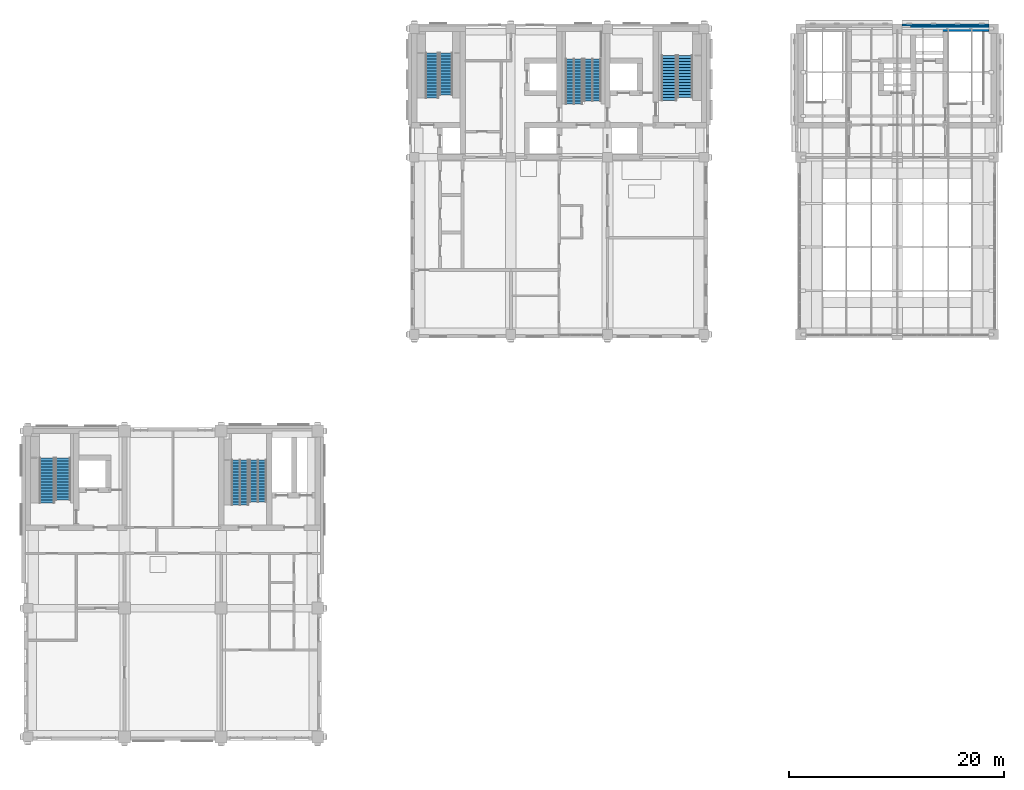
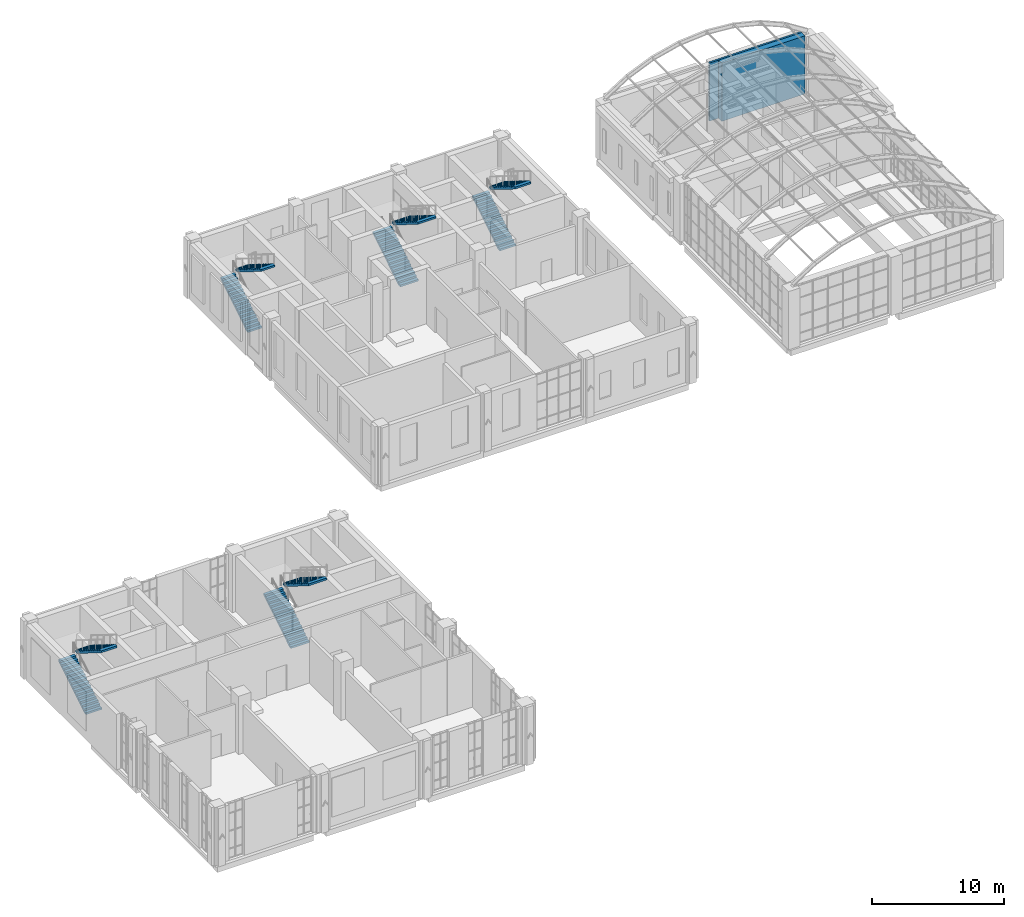
# One storey, part 31 of 39: 10 stair flights, 2 walls, 5 elements without a shape of their own.
"""IFC4 building model written with IfcOpenShell, lengths in metres."""

import ifcopenshell
import ifcopenshell.guid

model = None  # the IFC model being written
_history = None  # IfcOwnerHistory: only IFC2X3 demands one
_inside = {}  # id of a spatial element -> (the spatial element, [elements in it])
_under = {}  # id of a project, library or spatial element -> (it, [spatial elements below it])
_declared = {}  # id of a project -> (the project, [libraries it declares])
_typed = {}  # id of a type object -> (the type object, [elements of that type])
_made_of = {}  # id of a material, layer set ... -> (it, [elements and type objects made of it])


def new_model(schema):
    """Start an empty IFC model of exactly this schema.

    Asked for "IFC4X3", IfcOpenShell would pick the latest addendum, in which some entities
    have other attributes; the version numbers below select the first issue.
    IFC2X3 requires an IfcOwnerHistory on every rooted entity: one is made here for all.
    """
    global model, _history
    if schema == "IFC4X3":
        model = ifcopenshell.file(schema_version=(4, 3, 0, 0))
    else:
        model = ifcopenshell.file(schema=schema)
    _inside.clear()
    _under.clear()
    _declared.clear()
    _typed.clear()
    _made_of.clear()
    _history = None
    if model.schema == "IFC2X3":
        org = make("IfcOrganization", Name="unknown")
        user = make(
            "IfcPersonAndOrganization",
            ThePerson=make("IfcPerson", FamilyName="unknown"),
            TheOrganization=org,
        )
        app = make(
            "IfcApplication",
            ApplicationDeveloper=org,
            Version="unknown",
            ApplicationFullName="unknown",
            ApplicationIdentifier="unknown",
        )
        _history = make(
            "IfcOwnerHistory",
            OwningUser=user,
            OwningApplication=app,
            ChangeAction="ADDED",
            CreationDate=0,
        )
    return model


def make(cls, **values):
    """One entity of the class cls with the attributes given. An attribute that is None is left unset."""
    return model.create_entity(
        cls, **{name: value for name, value in values.items() if value is not None}
    )


def rooted(cls, **values):
    """An entity with a GlobalId (a new one), such as an element, a storey or a relation."""
    return make(cls, GlobalId=ifcopenshell.guid.new(), OwnerHistory=_history, **values)


def si_unit(unit_type, name, prefix=None):
    """IfcSIUnit, for example si_unit("LENGTHUNIT", "METRE", prefix="MILLI")."""
    return make("IfcSIUnit", UnitType=unit_type, Prefix=prefix, Name=name)


def assignment(units):
    """IfcUnitAssignment: the units of a project."""
    return None if units is None else make("IfcUnitAssignment", Units=units)


def point(xyz):
    """IfcCartesianPoint."""
    return None if xyz is None else make("IfcCartesianPoint", Coordinates=xyz)


def direction(xyz):
    """IfcDirection."""
    return None if xyz is None else make("IfcDirection", DirectionRatios=xyz)


def frame(location, z_axis=None, x_axis=None):
    """IfcAxis2Placement3D, a coordinate frame: its origin and axes. An axis left out is left unset."""
    return make(
        "IfcAxis2Placement3D",
        Location=point(location),
        Axis=direction(z_axis),
        RefDirection=direction(x_axis),
    )


def frame_2d(location, x_axis=None):
    """IfcAxis2Placement2D, a coordinate frame in the plane: its origin and x axis."""
    return make(
        "IfcAxis2Placement2D", Location=point(location), RefDirection=direction(x_axis)
    )


def origin():
    """The frame at (0, 0, 0) with its axes left unset."""
    return frame((0.0, 0.0, 0.0))


def place(relative_to, where):
    """IfcLocalPlacement: puts the frame where relative to a parent placement (None: the world)."""
    return make(
        "IfcLocalPlacement", PlacementRelTo=relative_to, RelativePlacement=where
    )


def context(
    kind, dimensions, precision=None, world=None, true_north=None, identifier=None
):
    """IfcGeometricRepresentationContext, for example the 3D "Model" context."""
    return make(
        "IfcGeometricRepresentationContext",
        ContextIdentifier=identifier,
        ContextType=kind,
        CoordinateSpaceDimension=dimensions,
        Precision=precision,
        WorldCoordinateSystem=world,
        TrueNorth=true_north,
    )


def subcontext(parent, identifier, kind, view, scale=None):
    """IfcGeometricRepresentationSubContext, for example "Body" below "Model"."""
    return make(
        "IfcGeometricRepresentationSubContext",
        ContextIdentifier=identifier,
        ContextType=kind,
        ParentContext=parent,
        TargetScale=scale,
        TargetView=view,
    )


def project(units=None, contexts=None):
    """IfcProject with its units and contexts."""
    return rooted(
        "IfcProject",
        Name="project",
        RepresentationContexts=contexts,
        UnitsInContext=assignment(units),
    )


def spatial(cls, under=None, at=None, **own):
    """A site, building, storey or space (cls), placed at a placement, below another one or the project."""
    s = rooted(cls, ObjectPlacement=at, **own)
    if under is not None:
        _under.setdefault(under.id(), (under, []))[1].append(s)
    return s


def polyline(points):
    """IfcPolyline through the points."""
    return make("IfcPolyline", Points=[point(p) for p in points])


def profile(cls, at=None, kind="AREA", **sizes):
    """A parametric profile (cls). Its sizes go by their IFC names, for example OverallWidth=200.0."""
    return make(cls, ProfileType=kind, Position=at, **sizes)


def rectangle(**sizes):
    """IfcRectangleProfileDef."""
    return profile("IfcRectangleProfileDef", **sizes)


def outline(outer, holes=None, kind="AREA"):
    """IfcArbitraryClosedProfileDef: a profile drawn as a closed curve; with holes, ...WithVoids."""
    if holes is None:
        return make("IfcArbitraryClosedProfileDef", ProfileType=kind, OuterCurve=outer)
    return make(
        "IfcArbitraryProfileDefWithVoids",
        ProfileType=kind,
        OuterCurve=outer,
        InnerCurves=holes,
    )


def extrude(swept, where, along, depth):
    """IfcExtrudedAreaSolid: the profile swept, set in the frame where, extruded along a direction by depth."""
    return make(
        "IfcExtrudedAreaSolid",
        SweptArea=swept,
        Position=where,
        ExtrudedDirection=direction(along),
        Depth=depth,
    )


def shape(context_of_items, identifier, shape_type, items):
    """IfcShapeRepresentation: the items that make up one representation, for example the "Body"."""
    return make(
        "IfcShapeRepresentation",
        ContextOfItems=context_of_items,
        RepresentationIdentifier=identifier,
        RepresentationType=shape_type,
        Items=items,
    )


def material(Name=None, Category=None):
    """IfcMaterial."""
    return make("IfcMaterial", Name=Name, Category=Category)


def layer(
    of_material, thickness, ventilated=None, Name=None, Category=None, Priority=None
):
    """IfcMaterialLayer: one layer of a wall or slab, of a material (None: an air gap)."""
    return make(
        "IfcMaterialLayer",
        Material=of_material,
        LayerThickness=thickness,
        IsVentilated=ventilated,
        Name=Name,
        Category=Category,
        Priority=Priority,
    )


def layer_set(layers, Name=None):
    """IfcMaterialLayerSet."""
    return make("IfcMaterialLayerSet", MaterialLayers=layers, LayerSetName=Name)


def made_of(thing, what):
    """Note that an element or type object is made of a material, layer set ...; save() writes the relation."""
    if what is not None:
        _made_of.setdefault(what.id(), (what, []))[1].append(thing)
    return thing


def type_object(cls, material=None, **own):
    """A type object (cls), such as IfcWallType, which elements share."""
    return made_of(rooted(cls, **own), material)


def element(
    cls,
    number,
    at=None,
    inside=None,
    cuts=None,
    type_object=None,
    material=None,
    context=None,
    identifier="Body",
    shape_type=None,
    held_by="IfcProductDefinitionShape",
    body=None,
    shapes=None,
    **own,
):
    """One element of the class cls, such as IfcWall. Its Tag is "e" and its number.

    at: its placement. inside: the storey or other place that contains it. cuts: it is an
    opening in that element (IfcRelVoidsElement). A single representation is given by context,
    identifier, shape_type and body (its items); several are given by shapes. held_by: the class
    of the entity that holds the representations. save() writes the other relations.
    """
    e = rooted(cls, Tag="e%d" % number, ObjectPlacement=at, **own)
    if body is not None:
        shapes = [shape(context, identifier, shape_type, body)]
    if shapes is not None:
        e.Representation = make(held_by, Representations=shapes)
    if inside is not None:
        _inside.setdefault(inside.id(), (inside, []))[1].append(e)
    if cuts is not None:
        rooted(
            "IfcRelVoidsElement", RelatingBuildingElement=cuts, RelatedOpeningElement=e
        )
    if type_object is not None:
        _typed.setdefault(type_object.id(), (type_object, []))[1].append(e)
    return made_of(e, material)


def aggregate(whole, parts):
    """IfcRelAggregates: a whole, such as a stair, and the parts it consists of."""
    return rooted("IfcRelAggregates", RelatingObject=whole, RelatedObjects=parts)


def save(model, path):
    """Write the relations noted so far, then the file.

    IfcRelAggregates (storeys below a building ...), IfcRelContainedInSpatialStructure (elements
    in a storey), IfcRelDefinesByType, IfcRelAssociatesMaterial and IfcRelDeclares: one each for
    every whole, place, type object, material and project.
    """
    for whole, parts in _under.values():
        aggregate(whole, parts)
    for where, things in _inside.values():
        rooted(
            "IfcRelContainedInSpatialStructure",
            RelatedElements=things,
            RelatingStructure=where,
        )
    for kind, things in _typed.values():
        rooted("IfcRelDefinesByType", RelatedObjects=things, RelatingType=kind)
    for what, things in _made_of.values():
        rooted("IfcRelAssociatesMaterial", RelatedObjects=things, RelatingMaterial=what)
    for by, libraries in _declared.values():
        rooted("IfcRelDeclares", RelatingContext=by, RelatedDefinitions=libraries)
    model.write(path)


model = new_model("IFC4")

# Units and contexts
model_context = context("Model", 3, precision=1e-05, world=origin(), true_north=direction((0.0, 1.0)))
body_context = subcontext(model_context, "Body", "Model", "MODEL_VIEW")
ifc_project = project(units=[si_unit("LENGTHUNIT", "METRE"), si_unit("AREAUNIT", "SQUARE_METRE"), si_unit("VOLUMEUNIT", "CUBIC_METRE"), si_unit("PLANEANGLEUNIT", "RADIAN"), si_unit("MASSUNIT", "GRAM", prefix="KILO")], contexts=[model_context])

# Site, building, storey
site_placement = place(None, origin())
site = spatial("IfcSite", under=ifc_project, at=site_placement, CompositionType="ELEMENT")
building_placement = place(site_placement, origin())
building = spatial("IfcBuilding", under=site, at=building_placement, Name="Aurelan Courthouse", CompositionType="ELEMENT")
storey_placement = place(building_placement, frame((0.0, 0.0, 28.199951171875)))
storey = spatial("IfcBuildingStorey", under=building, at=storey_placement, Name="L05", CompositionType="ELEMENT", Elevation=28.199951171875)

# Walls
ifc_material_1 = material(Name="Limestone cladding", Category="masonry")
ifc_layer_1 = layer(ifc_material_1, 0.050048828125, Name="Facing")
ifc_material_2 = material(Name="Ventilated cavity")
ifc_layer_2 = layer(ifc_material_2, 0.02490234375, ventilated=True, Name="Ventilated cavity")
ifc_material_3 = material(Name="Mineral wool insulation")
ifc_layer_3 = layer(ifc_material_3, 0.02490234375, Name="Insulation")
ifc_material_4 = material(Name="Concrete C30", Category="concrete")
ifc_layer_4 = layer(ifc_material_4, 0.070068359375, Name="Structure")
ifc_layer_set_1 = layer_set([ifc_layer_1, ifc_layer_2, ifc_layer_3, ifc_layer_4], Name="Concrete C30")
wall_type_1 = type_object("IfcWallType", Name="Law Library stone-faced wall 170", PredefinedType="SOLIDWALL", material=ifc_layer_set_1)
wall_1_placement = place(storey_placement, frame((81.449951171875, 66.3349609375, 0.0), z_axis=(0.0, 0.0, 1.0), x_axis=(1.0, 0.0, 0.0)))
element("IfcWall", 1, at=wall_1_placement, inside=storey, type_object=wall_type_1, Name="Facade wall FW-V3-L05-002", PredefinedType="SOLIDWALL", context=body_context, shape_type="SweptSolid", body=[
    extrude(rectangle(XDim=8.10009765625, YDim=0.169921875, at=frame_2d((4.050048828125, 0.0))), origin(), (0.0, 0.0, 1.0), 5.400146484375),
])
ifc_material_5 = material(Name="Concrete C50", Category="concrete")
ifc_layer_5 = layer(ifc_material_5, 0.5)
ifc_layer_set_2 = layer_set([ifc_layer_5], Name="Concrete C50")
wall_type_2 = type_object("IfcWallType", Name="RC shear wall 500", PredefinedType="SHEAR", material=ifc_layer_set_2)
wall_2_placement = place(storey_placement, frame((82.25, 66.0, 0.0), z_axis=(0.0, 0.0, 1.0), x_axis=(1.0, 0.0, 0.0)))
element("IfcWall", 2, at=wall_2_placement, inside=storey, type_object=wall_type_2, Name="Core wall SW-L05-051", PredefinedType="SHEAR", context=body_context, shape_type="SweptSolid", body=[
    extrude(rectangle(XDim=7.300048828125, YDim=0.5, at=frame_2d((3.64990234375, 0.0))), origin(), (0.0, 0.0, 1.0), 5.400146484375),
])

# Stair, stair flights
stair_type_1 = type_object("IfcStairType", Name="Half-turn stair 1200 wide 31 risers", PredefinedType="HALF_TURN_STAIR", material=ifc_material_4)
stair_1_placement = place(storey_placement, origin())
stair_1 = element("IfcStair", 3, at=stair_1_placement, inside=storey, type_object=stair_type_1, Name="Stair CS-2-L05", PredefinedType="HALF_TURN_STAIR")
stair_flight_type_1 = type_object("IfcStairFlightType", Name="Stair flight 1200 wide 16 risers", PredefinedType="STRAIGHT", material=ifc_material_4)
stair_flight_1_placement = place(storey_placement, frame((37.659912109375, 59.510009765625, 0.0), z_axis=(0.0, 0.0, 1.0), x_axis=(0.0, 1.0, 0.0)))
stair_flight_1 = element("IfcStairFlight", 4, at=stair_flight_1_placement, type_object=stair_flight_type_1, Name="Stair CS-2-L05 flight 1", NumberOfRisers=16, NumberOfTreads=15, PredefinedType="STRAIGHT", RiserHeight=0.174193548, TreadLength=0.28, context=body_context, shape_type="SweptSolid", body=[
    extrude(outline(polyline([(0.0, 0.0), (0.0, 0.174072265625), (0.280029296875, 0.174072265625), (0.280029296875, 0.348388671875), (0.56005859375, 0.348388671875), (0.56005859375, 0.5224609375), (0.840087890625, 0.5224609375), (0.840087890625, 0.69677734375), (1.1201171875, 0.69677734375), (1.1201171875, 0.870849609375), (1.39990234375, 0.870849609375), (1.39990234375, 1.045166015625), (1.679931640625, 1.045166015625), (1.679931640625, 1.21923828125), (1.9599609375, 1.21923828125), (1.9599609375, 1.3935546875), (2.239990234375, 1.3935546875), (2.239990234375, 1.567626953125), (2.52001953125, 1.567626953125), (2.52001953125, 1.741943359375), (2.800048828125, 1.741943359375), (2.800048828125, 1.916015625), (3.080078125, 1.916015625), (3.080078125, 2.09033203125), (3.360107421875, 2.09033203125), (3.360107421875, 2.264404296875), (3.639892578125, 2.264404296875), (3.639892578125, 2.438720703125), (3.919921875, 2.438720703125), (3.919921875, 2.61279296875), (4.199951171875, 2.61279296875), (4.199951171875, 2.787109375), (4.199951171875, 2.436279296875), (0.28369140625, 0.0), (0.0, 0.0)])), frame((0.0, 0.60009765625, 0.0), z_axis=(0.0, -1.0, 0.0), x_axis=(1.0, 0.0, 0.0)), (0.0, 0.0, 1.0), 1.199951171875),
])
stair_flight_2_placement = place(storey_placement, frame((38.9599609375, 63.7099609375, 2.787109375), z_axis=(0.0, 0.0, 1.0), x_axis=(0.0, -1.0, 0.0)))
stair_flight_2 = element("IfcStairFlight", 5, at=stair_flight_2_placement, type_object=stair_flight_type_1, Name="Stair CS-2-L05 flight 2", NumberOfRisers=15, NumberOfTreads=14, PredefinedType="STRAIGHT", RiserHeight=0.174193548, TreadLength=0.28, context=body_context, shape_type="SweptSolid", body=[
    extrude(outline(polyline([(0.0, 0.0), (0.0, 0.174072265625), (0.280029296875, 0.174072265625), (0.280029296875, 0.348388671875), (0.56005859375, 0.348388671875), (0.56005859375, 0.5224609375), (0.840087890625, 0.5224609375), (0.840087890625, 0.69677734375), (1.1201171875, 0.69677734375), (1.1201171875, 0.870849609375), (1.39990234375, 0.870849609375), (1.39990234375, 1.045166015625), (1.679931640625, 1.045166015625), (1.679931640625, 1.21923828125), (1.9599609375, 1.21923828125), (1.9599609375, 1.3935546875), (2.239990234375, 1.3935546875), (2.239990234375, 1.567626953125), (2.52001953125, 1.567626953125), (2.52001953125, 1.741943359375), (2.800048828125, 1.741943359375), (2.800048828125, 1.916015625), (3.080078125, 1.916015625), (3.080078125, 2.09033203125), (3.360107421875, 2.09033203125), (3.360107421875, 2.264404296875), (3.639892578125, 2.264404296875), (3.639892578125, 2.438720703125), (3.919921875, 2.438720703125), (3.919921875, 2.61279296875), (3.919921875, 2.26220703125), (0.28369140625, 0.0), (0.0, 0.0)])), frame((0.0, 0.60009765625, 0.0), z_axis=(0.0, -1.0, 0.0), x_axis=(1.0, 0.0, 0.0)), (0.0, 0.0, 1.0), 1.199951171875),
])
aggregate(stair_1, [stair_flight_1, stair_flight_2])

stair_type_2 = type_object("IfcStairType", Name="Half-turn stair 1400 wide 31 risers", PredefinedType="HALF_TURN_STAIR", material=ifc_material_4)
stair_2_placement = place(storey_placement, origin())
stair_2 = element("IfcStair", 6, at=stair_2_placement, inside=storey, type_object=stair_type_2, Name="Stair ST-2E-L05", PredefinedType="HALF_TURN_STAIR")
stair_flight_type_2 = type_object("IfcStairFlightType", Name="Stair flight 1400 wide 16 risers", PredefinedType="STRAIGHT", material=ifc_material_4)
stair_flight_3_placement = place(storey_placement, frame((59.739990234375, 59.31005859375, 0.0), z_axis=(0.0, 0.0, 1.0), x_axis=(0.0, 1.0, 0.0)))
stair_flight_3 = element("IfcStairFlight", 7, at=stair_flight_3_placement, type_object=stair_flight_type_2, Name="Stair ST-2E-L05 flight 1", NumberOfRisers=16, NumberOfTreads=15, PredefinedType="STRAIGHT", RiserHeight=0.174193548, TreadLength=0.28, context=body_context, shape_type="SweptSolid", body=[
    extrude(outline(polyline([(0.0, 0.0), (0.0, 0.174072265625), (0.280029296875, 0.174072265625), (0.280029296875, 0.348388671875), (0.56005859375, 0.348388671875), (0.56005859375, 0.5224609375), (0.840087890625, 0.5224609375), (0.840087890625, 0.69677734375), (1.1201171875, 0.69677734375), (1.1201171875, 0.870849609375), (1.39990234375, 0.870849609375), (1.39990234375, 1.045166015625), (1.679931640625, 1.045166015625), (1.679931640625, 1.21923828125), (1.9599609375, 1.21923828125), (1.9599609375, 1.3935546875), (2.239990234375, 1.3935546875), (2.239990234375, 1.567626953125), (2.52001953125, 1.567626953125), (2.52001953125, 1.741943359375), (2.800048828125, 1.741943359375), (2.800048828125, 1.916015625), (3.080078125, 1.916015625), (3.080078125, 2.09033203125), (3.360107421875, 2.09033203125), (3.360107421875, 2.264404296875), (3.639892578125, 2.264404296875), (3.639892578125, 2.438720703125), (3.919921875, 2.438720703125), (3.919921875, 2.61279296875), (4.199951171875, 2.61279296875), (4.199951171875, 2.787109375), (4.199951171875, 2.436279296875), (0.28369140625, 0.0), (0.0, 0.0)])), frame((0.0, 0.699951171875, 0.0), z_axis=(0.0, -1.0, 0.0), x_axis=(1.0, 0.0, 0.0)), (0.0, 0.0, 1.0), 1.39990234375),
])
stair_flight_4_placement = place(storey_placement, frame((61.239990234375, 63.510009765625, 2.787109375), z_axis=(0.0, 0.0, 1.0), x_axis=(0.0, -1.0, 0.0)))
stair_flight_4 = element("IfcStairFlight", 8, at=stair_flight_4_placement, type_object=stair_flight_type_2, Name="Stair ST-2E-L05 flight 2", NumberOfRisers=15, NumberOfTreads=14, PredefinedType="STRAIGHT", RiserHeight=0.174193548, TreadLength=0.28, context=body_context, shape_type="SweptSolid", body=[
    extrude(outline(polyline([(0.0, 0.0), (0.0, 0.174072265625), (0.280029296875, 0.174072265625), (0.280029296875, 0.348388671875), (0.56005859375, 0.348388671875), (0.56005859375, 0.5224609375), (0.840087890625, 0.5224609375), (0.840087890625, 0.69677734375), (1.1201171875, 0.69677734375), (1.1201171875, 0.870849609375), (1.39990234375, 0.870849609375), (1.39990234375, 1.045166015625), (1.679931640625, 1.045166015625), (1.679931640625, 1.21923828125), (1.9599609375, 1.21923828125), (1.9599609375, 1.3935546875), (2.239990234375, 1.3935546875), (2.239990234375, 1.567626953125), (2.52001953125, 1.567626953125), (2.52001953125, 1.741943359375), (2.800048828125, 1.741943359375), (2.800048828125, 1.916015625), (3.080078125, 1.916015625), (3.080078125, 2.09033203125), (3.360107421875, 2.09033203125), (3.360107421875, 2.264404296875), (3.639892578125, 2.264404296875), (3.639892578125, 2.438720703125), (3.919921875, 2.438720703125), (3.919921875, 2.61279296875), (3.919921875, 2.26220703125), (0.28369140625, 0.0), (0.0, 0.0)])), frame((0.0, 0.699951171875, 0.0), z_axis=(0.0, -1.0, 0.0), x_axis=(1.0, 0.0, 0.0)), (0.0, 0.0, 1.0), 1.39990234375),
])
aggregate(stair_2, [stair_flight_3, stair_flight_4])

stair_3_placement = place(storey_placement, origin())
stair_3 = element("IfcStair", 9, at=stair_3_placement, inside=storey, type_object=stair_type_2, Name="Stair ST-5B-L05", PredefinedType="HALF_TURN_STAIR")
stair_flight_5_placement = place(storey_placement, frame((1.760009765625, 21.81005859375, 0.0), z_axis=(0.0, 0.0, 1.0), x_axis=(0.0, 1.0, 0.0)))
stair_flight_5 = element("IfcStairFlight", 10, at=stair_flight_5_placement, type_object=stair_flight_type_2, Name="Stair ST-5B-L05 flight 1", NumberOfRisers=16, NumberOfTreads=15, PredefinedType="STRAIGHT", RiserHeight=0.174193548, TreadLength=0.28, context=body_context, shape_type="SweptSolid", body=[
    extrude(outline(polyline([(0.0, 0.0), (0.0, 0.174072265625), (0.280029296875, 0.174072265625), (0.280029296875, 0.348388671875), (0.56005859375, 0.348388671875), (0.56005859375, 0.5224609375), (0.840087890625, 0.5224609375), (0.840087890625, 0.69677734375), (1.1201171875, 0.69677734375), (1.1201171875, 0.870849609375), (1.39990234375, 0.870849609375), (1.39990234375, 1.045166015625), (1.679931640625, 1.045166015625), (1.679931640625, 1.21923828125), (1.9599609375, 1.21923828125), (1.9599609375, 1.3935546875), (2.239990234375, 1.3935546875), (2.239990234375, 1.567626953125), (2.52001953125, 1.567626953125), (2.52001953125, 1.741943359375), (2.800048828125, 1.741943359375), (2.800048828125, 1.916015625), (3.080078125, 1.916015625), (3.080078125, 2.09033203125), (3.360107421875, 2.09033203125), (3.360107421875, 2.264404296875), (3.639892578125, 2.264404296875), (3.639892578125, 2.438720703125), (3.919921875, 2.438720703125), (3.919921875, 2.61279296875), (4.199951171875, 2.61279296875), (4.199951171875, 2.787109375), (4.199951171875, 2.436279296875), (0.28369140625, 0.0), (0.0, 0.0)])), frame((0.0, 0.699951171875, 0.0), z_axis=(0.0, -1.0, 0.0), x_axis=(1.0, 0.0, 0.0)), (0.0, 0.0, 1.0), 1.39990234375),
])
stair_flight_6_placement = place(storey_placement, frame((3.260009765625, 26.010009765625, 2.787109375), z_axis=(0.0, 0.0, 1.0), x_axis=(0.0, -1.0, 0.0)))
stair_flight_6 = element("IfcStairFlight", 11, at=stair_flight_6_placement, type_object=stair_flight_type_2, Name="Stair ST-5B-L05 flight 2", NumberOfRisers=15, NumberOfTreads=14, PredefinedType="STRAIGHT", RiserHeight=0.174193548, TreadLength=0.28, context=body_context, shape_type="SweptSolid", body=[
    extrude(outline(polyline([(0.0, 0.0), (0.0, 0.174072265625), (0.280029296875, 0.174072265625), (0.280029296875, 0.348388671875), (0.56005859375, 0.348388671875), (0.56005859375, 0.5224609375), (0.840087890625, 0.5224609375), (0.840087890625, 0.69677734375), (1.1201171875, 0.69677734375), (1.1201171875, 0.870849609375), (1.39990234375, 0.870849609375), (1.39990234375, 1.045166015625), (1.679931640625, 1.045166015625), (1.679931640625, 1.21923828125), (1.9599609375, 1.21923828125), (1.9599609375, 1.3935546875), (2.239990234375, 1.3935546875), (2.239990234375, 1.567626953125), (2.52001953125, 1.567626953125), (2.52001953125, 1.741943359375), (2.800048828125, 1.741943359375), (2.800048828125, 1.916015625), (3.080078125, 1.916015625), (3.080078125, 2.09033203125), (3.360107421875, 2.09033203125), (3.360107421875, 2.264404296875), (3.639892578125, 2.264404296875), (3.639892578125, 2.438720703125), (3.919921875, 2.438720703125), (3.919921875, 2.61279296875), (3.919921875, 2.26220703125), (0.28369140625, 0.0), (0.0, 0.0)])), frame((0.0, 0.699951171875, 0.0), z_axis=(0.0, -1.0, 0.0), x_axis=(1.0, 0.0, 0.0)), (0.0, 0.0, 1.0), 1.39990234375),
])
aggregate(stair_3, [stair_flight_5, stair_flight_6])

stair_type_3 = type_object("IfcStairType", Name="Half-turn stair 1600 wide 31 risers", PredefinedType="HALF_TURN_STAIR", material=ifc_material_4)
stair_4_placement = place(storey_placement, origin())
stair_4 = element("IfcStair", 12, at=stair_4_placement, inside=storey, type_object=stair_type_3, Name="Stair ST-2A-L05", PredefinedType="HALF_TURN_STAIR")
stair_flight_type_3 = type_object("IfcStairFlightType", Name="Stair flight 1600 wide 16 risers", PredefinedType="STRAIGHT", material=ifc_material_4)
stair_flight_7_placement = place(storey_placement, frame((50.89990234375, 58.9599609375, 0.0), z_axis=(0.0, 0.0, 1.0), x_axis=(0.0, 1.0, 0.0)))
stair_flight_7 = element("IfcStairFlight", 13, at=stair_flight_7_placement, type_object=stair_flight_type_3, Name="Stair ST-2A-L05 flight 1", NumberOfRisers=16, NumberOfTreads=15, PredefinedType="STRAIGHT", RiserHeight=0.174193548, TreadLength=0.28, context=body_context, shape_type="SweptSolid", body=[
    extrude(outline(polyline([(0.0, 0.0), (0.0, 0.174072265625), (0.280029296875, 0.174072265625), (0.280029296875, 0.348388671875), (0.56005859375, 0.348388671875), (0.56005859375, 0.5224609375), (0.840087890625, 0.5224609375), (0.840087890625, 0.69677734375), (1.1201171875, 0.69677734375), (1.1201171875, 0.870849609375), (1.39990234375, 0.870849609375), (1.39990234375, 1.045166015625), (1.679931640625, 1.045166015625), (1.679931640625, 1.21923828125), (1.9599609375, 1.21923828125), (1.9599609375, 1.3935546875), (2.239990234375, 1.3935546875), (2.239990234375, 1.567626953125), (2.52001953125, 1.567626953125), (2.52001953125, 1.741943359375), (2.800048828125, 1.741943359375), (2.800048828125, 1.916015625), (3.080078125, 1.916015625), (3.080078125, 2.09033203125), (3.360107421875, 2.09033203125), (3.360107421875, 2.264404296875), (3.639892578125, 2.264404296875), (3.639892578125, 2.438720703125), (3.919921875, 2.438720703125), (3.919921875, 2.61279296875), (4.199951171875, 2.61279296875), (4.199951171875, 2.787109375), (4.199951171875, 2.436279296875), (0.28369140625, 0.0), (0.0, 0.0)])), frame((0.0, 0.800048828125, 0.0), z_axis=(0.0, -1.0, 0.0), x_axis=(1.0, 0.0, 0.0)), (0.0, 0.0, 1.0), 1.60009765625),
])
stair_flight_8_placement = place(storey_placement, frame((52.60009765625, 63.159912109375, 2.787109375), z_axis=(0.0, 0.0, 1.0), x_axis=(0.0, -1.0, 0.0)))
stair_flight_8 = element("IfcStairFlight", 14, at=stair_flight_8_placement, type_object=stair_flight_type_3, Name="Stair ST-2A-L05 flight 2", NumberOfRisers=15, NumberOfTreads=14, PredefinedType="STRAIGHT", RiserHeight=0.174193548, TreadLength=0.28, context=body_context, shape_type="SweptSolid", body=[
    extrude(outline(polyline([(0.0, 0.0), (0.0, 0.174072265625), (0.280029296875, 0.174072265625), (0.280029296875, 0.348388671875), (0.56005859375, 0.348388671875), (0.56005859375, 0.5224609375), (0.840087890625, 0.5224609375), (0.840087890625, 0.69677734375), (1.1201171875, 0.69677734375), (1.1201171875, 0.870849609375), (1.39990234375, 0.870849609375), (1.39990234375, 1.045166015625), (1.679931640625, 1.045166015625), (1.679931640625, 1.21923828125), (1.9599609375, 1.21923828125), (1.9599609375, 1.3935546875), (2.239990234375, 1.3935546875), (2.239990234375, 1.567626953125), (2.52001953125, 1.567626953125), (2.52001953125, 1.741943359375), (2.800048828125, 1.741943359375), (2.800048828125, 1.916015625), (3.080078125, 1.916015625), (3.080078125, 2.09033203125), (3.360107421875, 2.09033203125), (3.360107421875, 2.264404296875), (3.639892578125, 2.264404296875), (3.639892578125, 2.438720703125), (3.919921875, 2.438720703125), (3.919921875, 2.61279296875), (3.919921875, 2.26220703125), (0.28369140625, 0.0), (0.0, 0.0)])), frame((0.0, 0.800048828125, 0.0), z_axis=(0.0, -1.0, 0.0), x_axis=(1.0, 0.0, 0.0)), (0.0, 0.0, 1.0), 1.60009765625),
])
aggregate(stair_4, [stair_flight_7, stair_flight_8])

stair_5_placement = place(storey_placement, origin())
stair_5 = element("IfcStair", 15, at=stair_5_placement, inside=storey, type_object=stair_type_3, Name="Stair ST-5A-L05", PredefinedType="HALF_TURN_STAIR")
stair_flight_9_placement = place(storey_placement, frame((19.75, 21.610107421875, 0.0), z_axis=(0.0, 0.0, 1.0), x_axis=(0.0, 1.0, 0.0)))
stair_flight_9 = element("IfcStairFlight", 16, at=stair_flight_9_placement, type_object=stair_flight_type_3, Name="Stair ST-5A-L05 flight 1", NumberOfRisers=16, NumberOfTreads=15, PredefinedType="STRAIGHT", RiserHeight=0.174193548, TreadLength=0.28, context=body_context, shape_type="SweptSolid", body=[
    extrude(outline(polyline([(0.0, 0.0), (0.0, 0.174072265625), (0.280029296875, 0.174072265625), (0.280029296875, 0.348388671875), (0.56005859375, 0.348388671875), (0.56005859375, 0.5224609375), (0.840087890625, 0.5224609375), (0.840087890625, 0.69677734375), (1.1201171875, 0.69677734375), (1.1201171875, 0.870849609375), (1.39990234375, 0.870849609375), (1.39990234375, 1.045166015625), (1.679931640625, 1.045166015625), (1.679931640625, 1.21923828125), (1.9599609375, 1.21923828125), (1.9599609375, 1.3935546875), (2.239990234375, 1.3935546875), (2.239990234375, 1.567626953125), (2.52001953125, 1.567626953125), (2.52001953125, 1.741943359375), (2.800048828125, 1.741943359375), (2.800048828125, 1.916015625), (3.080078125, 1.916015625), (3.080078125, 2.09033203125), (3.360107421875, 2.09033203125), (3.360107421875, 2.264404296875), (3.639892578125, 2.264404296875), (3.639892578125, 2.438720703125), (3.919921875, 2.438720703125), (3.919921875, 2.61279296875), (4.199951171875, 2.61279296875), (4.199951171875, 2.787109375), (4.199951171875, 2.436279296875), (0.28369140625, 0.0), (0.0, 0.0)])), frame((0.0, 0.800048828125, 0.0), z_axis=(0.0, -1.0, 0.0), x_axis=(1.0, 0.0, 0.0)), (0.0, 0.0, 1.0), 1.60009765625),
])
stair_flight_10_placement = place(storey_placement, frame((21.449951171875, 25.81005859375, 2.787109375), z_axis=(0.0, 0.0, 1.0), x_axis=(0.0, -1.0, 0.0)))
stair_flight_10 = element("IfcStairFlight", 17, at=stair_flight_10_placement, type_object=stair_flight_type_3, Name="Stair ST-5A-L05 flight 2", NumberOfRisers=15, NumberOfTreads=14, PredefinedType="STRAIGHT", RiserHeight=0.174193548, TreadLength=0.28, context=body_context, shape_type="SweptSolid", body=[
    extrude(outline(polyline([(0.0, 0.0), (0.0, 0.174072265625), (0.280029296875, 0.174072265625), (0.280029296875, 0.348388671875), (0.56005859375, 0.348388671875), (0.56005859375, 0.5224609375), (0.840087890625, 0.5224609375), (0.840087890625, 0.69677734375), (1.1201171875, 0.69677734375), (1.1201171875, 0.870849609375), (1.39990234375, 0.870849609375), (1.39990234375, 1.045166015625), (1.679931640625, 1.045166015625), (1.679931640625, 1.21923828125), (1.9599609375, 1.21923828125), (1.9599609375, 1.3935546875), (2.239990234375, 1.3935546875), (2.239990234375, 1.567626953125), (2.52001953125, 1.567626953125), (2.52001953125, 1.741943359375), (2.800048828125, 1.741943359375), (2.800048828125, 1.916015625), (3.080078125, 1.916015625), (3.080078125, 2.09033203125), (3.360107421875, 2.09033203125), (3.360107421875, 2.264404296875), (3.639892578125, 2.264404296875), (3.639892578125, 2.438720703125), (3.919921875, 2.438720703125), (3.919921875, 2.61279296875), (3.919921875, 2.26220703125), (0.28369140625, 0.0), (0.0, 0.0)])), frame((0.0, 0.800048828125, 0.0), z_axis=(0.0, -1.0, 0.0), x_axis=(1.0, 0.0, 0.0)), (0.0, 0.0, 1.0), 1.60009765625),
])
aggregate(stair_5, [stair_flight_9, stair_flight_10])

save(model, "model.ifc")
